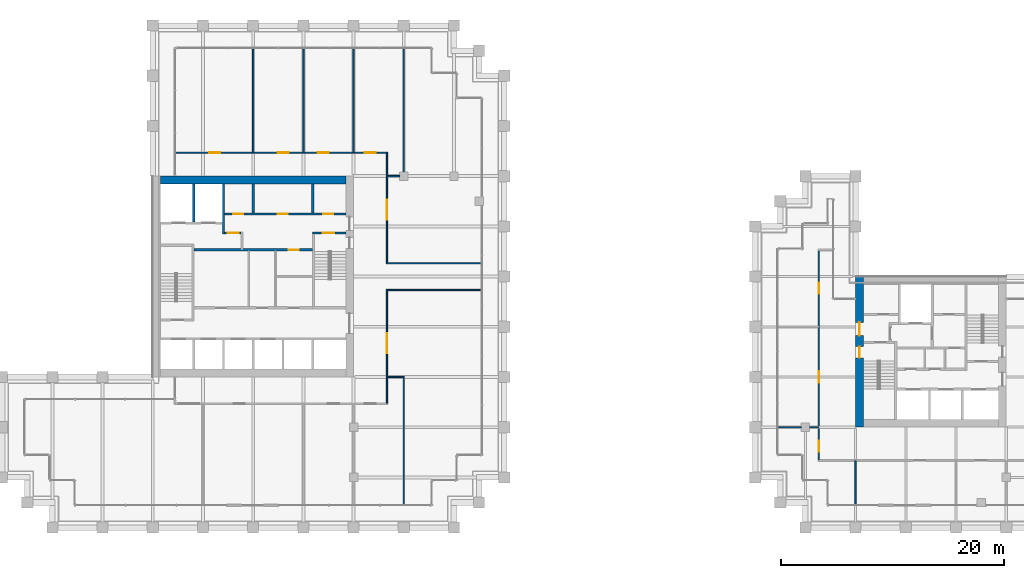
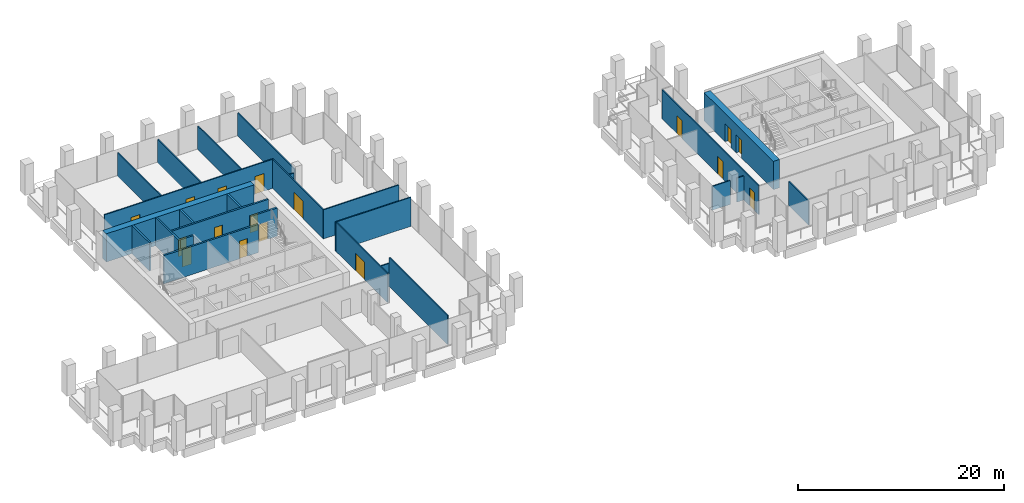
# One storey, part 42 of 46: 26 walls, 17 doors, 17 openings.
"""IFC4 building model written with IfcOpenShell, lengths in metres."""

from ifc_helpers import new_model, si_unit, direction, frame, frame_2d, origin, place, context, subcontext, project, spatial, rectangle, extrude, material, layer, layer_set, type_object, element, fill, save


model = new_model("IFC4")

# Units and contexts
model_context = context("Model", 3, precision=1e-05, world=origin(), true_north=direction((0.0, 1.0)))
body_context = subcontext(model_context, "Body", "Model", "MODEL_VIEW")
ifc_project = project(units=[si_unit("LENGTHUNIT", "METRE"), si_unit("AREAUNIT", "SQUARE_METRE"), si_unit("VOLUMEUNIT", "CUBIC_METRE"), si_unit("PLANEANGLEUNIT", "RADIAN"), si_unit("MASSUNIT", "GRAM", prefix="KILO")], contexts=[model_context])

# Site, building, storey
site_placement = place(None, origin())
site = spatial("IfcSite", under=ifc_project, at=site_placement, CompositionType="ELEMENT")
building_placement = place(site_placement, origin())
building = spatial("IfcBuilding", under=site, at=building_placement, Name="Altepetl Exchange Towers", CompositionType="ELEMENT")
storey_placement = place(building_placement, frame((0.0, 0.0, 128.0)))
storey = spatial("IfcBuildingStorey", under=building, at=storey_placement, Name="L31", CompositionType="ELEMENT", Elevation=128.0)

# Wall
ifc_material_1 = material(Name="Concrete C70/85", Category="concrete")
ifc_layer_1 = layer(ifc_material_1, 0.699951171875)
ifc_layer_set_1 = layer_set([ifc_layer_1], Name="Concrete C70/85")
wall_type_1 = type_object("IfcWallType", Name="Core wall 700 reinforced concrete", PredefinedType="SHEAR", material=ifc_layer_set_1)
wall_1_placement = place(storey_placement, frame((41.199951171875, 58.14990234375, 0.0)))
element("IfcWall", 1, at=wall_1_placement, inside=storey, type_object=wall_type_1, Name="wall:A:L31:K-coreN", PredefinedType="SHEAR", context=body_context, shape_type="SweptSolid", body=[
    extrude(rectangle(XDim=16.60009765625, YDim=0.699951171875, at=frame_2d((8.300048828125, 0.0))), origin(), (0.0, 0.0, 1.0), 3.35009765625),
])

# Wall, openings, doors
wall_2_placement = place(storey_placement, frame((103.85009765625, 36.0, 0.0), z_axis=(0.0, 0.0, 1.0), x_axis=(0.0, 1.0, 0.0)))
wall_2 = element("IfcWall", 2, at=wall_2_placement, inside=storey, type_object=wall_type_1, Name="wall:B:L31:K-coreW", PredefinedType="SHEAR", context=body_context, shape_type="SweptSolid", body=[
    extrude(rectangle(XDim=13.5, YDim=0.699951171875, at=frame_2d((6.75, 0.0))), origin(), (0.0, 0.0, 1.0), 3.35009765625),
])
opening_1_placement = place(wall_2_placement, frame((8.199951171875, 0.0, 0.0)))
opening_1 = element("IfcOpeningElement", 3, at=opening_1_placement, cuts=wall_2, Name="Opening L31.B60", PredefinedType="OPENING", context=body_context, shape_type="SweptSolid", body=[
    extrude(rectangle(XDim=1.199951171875, YDim=2.10009765625, at=frame_2d((0.60009765625, 1.050048828125))), frame((0.0, 0.35986328125, 0.0), z_axis=(0.0, -1.0, 0.0), x_axis=(1.0, 0.0, 0.0)), (0.0, 0.0, 1.0), 0.719970703125),
])
opening_2_placement = place(wall_2_placement, frame((6.22509765625, 0.0, 0.0)))
opening_2 = element("IfcOpeningElement", 4, at=opening_2_placement, cuts=wall_2, Name="Opening L31.B63", PredefinedType="OPENING", context=body_context, shape_type="SweptSolid", body=[
    extrude(rectangle(XDim=1.0, YDim=2.10009765625, at=frame_2d((0.5, 1.050048828125))), frame((0.0, 0.35986328125, 0.0), z_axis=(0.0, -1.0, 0.0), x_axis=(1.0, 0.0, 0.0)), (0.0, 0.0, 1.0), 0.719970703125),
])
ifc_material_2 = material(Name="Steel and timber fire door", Category="steel")
door_type_1 = type_object("IfcDoorType", Name="Fire door 1000 x 2100 stair and lobby", OperationType="SINGLE_SWING_LEFT", PredefinedType="DOOR", material=ifc_material_2)
door_1_placement = place(opening_2_placement, frame((1.0, 0.0, 0.0), x_axis=(-1.0, 0.0, 0.0)))
door_1 = element("IfcDoor", 5, at=door_1_placement, inside=storey, type_object=door_type_1, Name="door:B:L31:K-dS1x", OperationType="SINGLE_SWING_RIGHT", OverallHeight=2.10009765625, OverallWidth=1.0, PredefinedType="DOOR", context=body_context, shape_type="SweptSolid", body=[
    extrude(rectangle(XDim=1.0, YDim=2.10009765625, at=frame_2d((0.5, 1.050048828125))), frame((0.0, 0.02490234375, 0.0), z_axis=(0.0, -1.0, 0.0), x_axis=(1.0, 0.0, 0.0)), (0.0, 0.0, 1.0), 0.050048828125),
])
fill(opening_2, door_1)
door_type_2 = type_object("IfcDoorType", Name="Fire door 1200 x 2100 lobby entry", OperationType="SINGLE_SWING_LEFT", PredefinedType="DOOR", material=ifc_material_2)
door_2_placement = place(opening_1_placement, frame((1.199951171875, 0.0, 0.0), x_axis=(-1.0, 0.0, 0.0)))
door_2 = element("IfcDoor", 6, at=door_2_placement, inside=storey, type_object=door_type_2, Name="door:B:L31:K-dLNW", OperationType="SINGLE_SWING_RIGHT", OverallHeight=2.10009765625, OverallWidth=1.199951171875, PredefinedType="DOOR", context=body_context, shape_type="SweptSolid", body=[
    extrude(rectangle(XDim=1.199951171875, YDim=2.10009765625, at=frame_2d((0.60009765625, 1.050048828125))), frame((0.0, 0.02490234375, 0.0), z_axis=(0.0, -1.0, 0.0), x_axis=(1.0, 0.0, 0.0)), (0.0, 0.0, 1.0), 0.050048828125),
])
fill(opening_1, door_2)

# Wall, opening, door
ifc_material_3 = material(Name="Concrete blockwork", Category="masonry")
ifc_layer_2 = layer(ifc_material_3, 0.199951171875)
ifc_layer_set_2 = layer_set([ifc_layer_2], Name="Concrete blockwork")
wall_type_2 = type_object("IfcWallType", Name="Lobby wall 200 blockwork", PredefinedType="PARTITIONING", material=ifc_layer_set_2)
wall_3_placement = place(storey_placement, frame((46.933349609375, 53.39990234375, 0.0)))
wall_3 = element("IfcWall", 7, at=wall_3_placement, inside=storey, type_object=wall_type_2, Name="wall:A:L31:K-ffN", PredefinedType="PARTITIONING", context=body_context, shape_type="SweptSolid", body=[
    extrude(rectangle(XDim=1.466552734375, YDim=0.199951171875, at=frame_2d((0.7333984375, 0.0))), origin(), (0.0, 0.0, 1.0), 3.35009765625),
])
opening_3_placement = place(wall_3_placement, frame((0.2666015625, 0.0, 0.0)))
opening_3 = element("IfcOpeningElement", 8, at=opening_3_placement, cuts=wall_3, Name="Opening L31.A65", PredefinedType="OPENING", context=body_context, shape_type="SweptSolid", body=[
    extrude(rectangle(XDim=1.0, YDim=2.10009765625, at=frame_2d((0.5, 1.050048828125))), frame((0.0, 0.10986328125, 0.0), z_axis=(0.0, -1.0, 0.0), x_axis=(1.0, 0.0, 0.0)), (0.0, 0.0, 1.0), 0.219970703125),
])
door_3_placement = place(opening_3_placement, frame((1.0, 0.0, 0.0), x_axis=(-1.0, 0.0, 0.0)))
door_3 = element("IfcDoor", 9, at=door_3_placement, inside=storey, type_object=door_type_1, Name="door:A:L31:K-dffN", OperationType="SINGLE_SWING_RIGHT", OverallHeight=2.10009765625, OverallWidth=1.0, PredefinedType="DOOR", context=body_context, shape_type="SweptSolid", body=[
    extrude(rectangle(XDim=1.0, YDim=2.10009765625, at=frame_2d((0.5, 1.050048828125))), frame((0.0, 0.02490234375, 0.0), z_axis=(0.0, -1.0, 0.0), x_axis=(1.0, 0.0, 0.0)), (0.0, 0.0, 1.0), 0.050048828125),
])
fill(opening_3, door_3)

wall_4_placement = place(storey_placement, frame((44.199951171875, 51.89990234375, 0.0)))
wall_4 = element("IfcWall", 10, at=wall_4_placement, inside=storey, type_object=wall_type_2, Name="wall:A:L31:K-zoneN", PredefinedType="PARTITIONING", context=body_context, shape_type="SweptSolid", body=[
    extrude(rectangle(XDim=10.60009765625, YDim=0.199951171875, at=frame_2d((5.300048828125, 0.0))), origin(), (0.0, 0.0, 1.0), 3.35009765625),
])
opening_4_placement = place(wall_4_placement, frame((8.5, 0.0, 0.0)))
opening_4 = element("IfcOpeningElement", 11, at=opening_4_placement, cuts=wall_4, Name="Opening L31.A71", PredefinedType="OPENING", context=body_context, shape_type="SweptSolid", body=[
    extrude(rectangle(XDim=0.89990234375, YDim=2.10009765625, at=frame_2d((0.449951171875, 1.050048828125))), frame((0.0, 0.10986328125, 0.0), z_axis=(0.0, -1.0, 0.0), x_axis=(1.0, 0.0, 0.0)), (0.0, 0.0, 1.0), 0.219970703125),
])
door_type_3 = type_object("IfcDoorType", Name="Fire door 900 x 2100 service room", OperationType="SINGLE_SWING_LEFT", PredefinedType="DOOR", material=ifc_material_2)
door_4_placement = place(opening_4_placement, frame((0.89990234375, 0.0, 0.0), x_axis=(-1.0, 0.0, 0.0)))
door_4 = element("IfcDoor", 12, at=door_4_placement, inside=storey, type_object=door_type_3, Name="door:A:L31:K-dz3", OperationType="SINGLE_SWING_LEFT", OverallHeight=2.10009765625, OverallWidth=0.89990234375, PredefinedType="DOOR", context=body_context, shape_type="SweptSolid", body=[
    extrude(rectangle(XDim=0.89990234375, YDim=2.10009765625, at=frame_2d((0.449951171875, 1.050048828125))), frame((0.0, 0.02490234375, 0.0), z_axis=(0.0, -1.0, 0.0), x_axis=(1.0, 0.0, 0.0)), (0.0, 0.0, 1.0), 0.050048828125),
])
fill(opening_4, door_4)

# Walls
ifc_material_4 = material(Name="Gypsum board on steel studs", Category="steel")
ifc_layer_3 = layer(ifc_material_4, 0.125)
ifc_layer_set_3 = layer_set([ifc_layer_3], Name="Gypsum board on steel studs")
wall_type_3 = type_object("IfcWallType", Name="Partition 125 gypsum board on steel studs", PredefinedType="PARTITIONING", material=ifc_layer_set_3)
wall_5_placement = place(storey_placement, frame((61.5, 40.5, 0.0)))
element("IfcWall", 13, at=wall_5_placement, inside=storey, type_object=wall_type_3, Name="wall:A:L31:P02", PredefinedType="PARTITIONING", context=body_context, shape_type="SweptSolid", body=[
    extrude(rectangle(XDim=1.5625, YDim=0.125, at=frame_2d((0.78125, 0.0))), origin(), (0.0, 0.0, 1.0), 2.76611328125),
])
for number, where, name in (
    (14, (61.4375, 48.300048828125, 0.0), "wall:A:L31:P03"),
    (15, (61.4375, 50.699951171875, 0.0), "wall:A:L31:P04"),
):
    element("IfcWall", number, at=place(storey_placement, frame(where)), inside=storey, type_object=wall_type_3, Name=name, PredefinedType="PARTITIONING", context=body_context, shape_type="SweptSolid", body=[
        extrude(rectangle(XDim=8.46240234375, YDim=0.125, at=frame_2d((4.231201171875, 0.0))), origin(), (0.0, 0.0, 1.0), 3.449951171875),
    ])
wall_6_placement = place(storey_placement, frame((61.5, 58.5, 0.0)))
element("IfcWall", 16, at=wall_6_placement, inside=storey, type_object=wall_type_3, Name="wall:A:L31:P05", PredefinedType="PARTITIONING", context=body_context, shape_type="SweptSolid", body=[
    extrude(rectangle(XDim=1.125, YDim=0.125, at=frame_2d((0.5625, 0.0))), origin(), (0.0, 0.0, 1.0), 2.676025390625),
])

# Wall, openings, doors
wall_7_placement = place(storey_placement, frame((42.60009765625, 60.60009765625, 0.0)))
wall_7 = element("IfcWall", 17, at=wall_7_placement, inside=storey, type_object=wall_type_3, Name="wall:A:L31:P06", PredefinedType="PARTITIONING", context=body_context, shape_type="SweptSolid", body=[
    extrude(rectangle(XDim=18.96240234375, YDim=0.125, at=frame_2d((9.481201171875, 0.0))), origin(), (0.0, 0.0, 1.0), 3.449951171875),
])
opening_5_placement = place(wall_7_placement, frame((16.89990234375, 0.0, 0.0)))
opening_5 = element("IfcOpeningElement", 18, at=opening_5_placement, cuts=wall_7, Name="Opening L31.A07", PredefinedType="OPENING", context=body_context, shape_type="SweptSolid", body=[
    extrude(rectangle(XDim=1.0, YDim=2.10009765625, at=frame_2d((0.5, 1.050048828125))), frame((0.0, 0.072509765625, 0.0), z_axis=(0.0, -1.0, 0.0), x_axis=(1.0, 0.0, 0.0)), (0.0, 0.0, 1.0), 0.14501953125),
])
opening_6_placement = place(wall_7_placement, frame((12.695068359375, 0.0, 0.0)))
opening_6 = element("IfcOpeningElement", 19, at=opening_6_placement, cuts=wall_7, Name="Opening L31.A08", PredefinedType="OPENING", context=body_context, shape_type="SweptSolid", body=[
    extrude(rectangle(XDim=1.0, YDim=2.10009765625, at=frame_2d((0.5, 1.050048828125))), frame((0.0, 0.072509765625, 0.0), z_axis=(0.0, -1.0, 0.0), x_axis=(1.0, 0.0, 0.0)), (0.0, 0.0, 1.0), 0.14501953125),
])
opening_7_placement = place(wall_7_placement, frame((9.10498046875, 0.0, 0.0)))
opening_7 = element("IfcOpeningElement", 20, at=opening_7_placement, cuts=wall_7, Name="Opening L31.A09", PredefinedType="OPENING", context=body_context, shape_type="SweptSolid", body=[
    extrude(rectangle(XDim=1.0, YDim=2.10009765625, at=frame_2d((0.5, 1.050048828125))), frame((0.0, 0.072509765625, 0.0), z_axis=(0.0, -1.0, 0.0), x_axis=(1.0, 0.0, 0.0)), (0.0, 0.0, 1.0), 0.14501953125),
])
opening_8_placement = place(wall_7_placement, frame((2.949951171875, 0.0, 0.0)))
opening_8 = element("IfcOpeningElement", 21, at=opening_8_placement, cuts=wall_7, Name="Opening L31.A10", PredefinedType="OPENING", context=body_context, shape_type="SweptSolid", body=[
    extrude(rectangle(XDim=1.0, YDim=2.10009765625, at=frame_2d((0.5, 1.050048828125))), frame((0.0, 0.072509765625, 0.0), z_axis=(0.0, -1.0, 0.0), x_axis=(1.0, 0.0, 0.0)), (0.0, 0.0, 1.0), 0.14501953125),
])
door_type_4 = type_object("IfcDoorType", Name="Fire door 1000 x 2100 single leaf", OperationType="SINGLE_SWING_LEFT", PredefinedType="DOOR", material=ifc_material_2)
door_5_placement = place(opening_5_placement, origin())
door_5 = element("IfcDoor", 22, at=door_5_placement, inside=storey, type_object=door_type_4, Name="door:A:L31:07", OperationType="SINGLE_SWING_RIGHT", OverallHeight=2.10009765625, OverallWidth=1.0, PredefinedType="DOOR", context=body_context, shape_type="SweptSolid", body=[
    extrude(rectangle(XDim=1.0, YDim=2.10009765625, at=frame_2d((0.5, 1.050048828125))), frame((0.0, 0.02490234375, 0.0), z_axis=(0.0, -1.0, 0.0), x_axis=(1.0, 0.0, 0.0)), (0.0, 0.0, 1.0), 0.050048828125),
])
fill(opening_5, door_5)
door_6_placement = place(opening_6_placement, origin())
door_6 = element("IfcDoor", 23, at=door_6_placement, inside=storey, type_object=door_type_4, Name="door:A:L31:08", OperationType="SINGLE_SWING_LEFT", OverallHeight=2.10009765625, OverallWidth=1.0, PredefinedType="DOOR", context=body_context, shape_type="SweptSolid", body=[
    extrude(rectangle(XDim=1.0, YDim=2.10009765625, at=frame_2d((0.5, 1.050048828125))), frame((0.0, 0.02490234375, 0.0), z_axis=(0.0, -1.0, 0.0), x_axis=(1.0, 0.0, 0.0)), (0.0, 0.0, 1.0), 0.050048828125),
])
fill(opening_6, door_6)
door_7_placement = place(opening_7_placement, origin())
door_7 = element("IfcDoor", 24, at=door_7_placement, inside=storey, type_object=door_type_4, Name="door:A:L31:09", OperationType="SINGLE_SWING_RIGHT", OverallHeight=2.10009765625, OverallWidth=1.0, PredefinedType="DOOR", context=body_context, shape_type="SweptSolid", body=[
    extrude(rectangle(XDim=1.0, YDim=2.10009765625, at=frame_2d((0.5, 1.050048828125))), frame((0.0, 0.02490234375, 0.0), z_axis=(0.0, -1.0, 0.0), x_axis=(1.0, 0.0, 0.0)), (0.0, 0.0, 1.0), 0.050048828125),
])
fill(opening_7, door_7)
door_8_placement = place(opening_8_placement, origin())
door_8 = element("IfcDoor", 25, at=door_8_placement, inside=storey, type_object=door_type_4, Name="door:A:L31:10", OperationType="SINGLE_SWING_RIGHT", OverallHeight=2.10009765625, OverallWidth=1.0, PredefinedType="DOOR", context=body_context, shape_type="SweptSolid", body=[
    extrude(rectangle(XDim=1.0, YDim=2.10009765625, at=frame_2d((0.5, 1.050048828125))), frame((0.0, 0.02490234375, 0.0), z_axis=(0.0, -1.0, 0.0), x_axis=(1.0, 0.0, 0.0)), (0.0, 0.0, 1.0), 0.050048828125),
])
fill(opening_8, door_8)

# Walls
for number, where, z_axis, x_axis, name in (
    (26, (49.5, 60.60009765625, 0.0), (0.0, 0.0, 1.0), (0.0, 1.0, 0.0), "wall:A:L31:P09"),
    (27, (54.0, 60.60009765625, 0.0), (0.0, 0.0, 1.0), (0.0, 1.0, 0.0), "wall:A:L31:P11"),
    (28, (58.5, 60.60009765625, 0.0), (0.0, 0.0, 1.0), (0.0, 1.0, 0.0), "wall:A:L31:P15"),
):
    element("IfcWall", number, at=place(storey_placement, frame(where, z_axis=z_axis, x_axis=x_axis)), inside=storey, type_object=wall_type_3, Name=name, PredefinedType="PARTITIONING", context=body_context, shape_type="SweptSolid", body=[
        extrude(rectangle(XDim=9.2998046875, YDim=0.125, at=frame_2d((4.64990234375, 0.0))), origin(), (0.0, 0.0, 1.0), 2.76611328125),
    ])

# Wall, opening, door
wall_8_placement = place(storey_placement, frame((61.5, 38.16259765625, 0.0), z_axis=(0.0, 0.0, 1.0), x_axis=(0.0, 1.0, 0.0)))
wall_8 = element("IfcWall", 29, at=wall_8_placement, inside=storey, type_object=wall_type_3, Name="wall:A:L31:P16", PredefinedType="PARTITIONING", context=body_context, shape_type="SweptSolid", body=[
    extrude(rectangle(XDim=10.074951171875, YDim=0.125, at=frame_2d((5.03759765625, 0.0))), origin(), (0.0, 0.0, 1.0), 3.449951171875),
])
opening_9_placement = place(wall_8_placement, frame((4.445556640625, 0.0, 0.0)))
opening_9 = element("IfcOpeningElement", 30, at=opening_9_placement, cuts=wall_8, Name="Opening L31.A05", PredefinedType="OPENING", context=body_context, shape_type="SweptSolid", body=[
    extrude(rectangle(XDim=1.800048828125, YDim=2.10009765625, at=frame_2d((0.89990234375, 1.050048828125))), frame((0.0, 0.072509765625, 0.0), z_axis=(0.0, -1.0, 0.0), x_axis=(1.0, 0.0, 0.0)), (0.0, 0.0, 1.0), 0.14501953125),
])
door_type_5 = type_object("IfcDoorType", Name="Fire door 1800 x 2100 double leaf", OperationType="DOUBLE_DOOR_SINGLE_SWING", PredefinedType="DOOR", material=ifc_material_2)
door_9_placement = place(opening_9_placement, frame((1.800048828125, 0.0, 0.0), x_axis=(-1.0, 0.0, 0.0)))
door_9 = element("IfcDoor", 31, at=door_9_placement, inside=storey, type_object=door_type_5, Name="door:A:L31:05", OperationType="DOUBLE_DOOR_SINGLE_SWING", OverallHeight=2.10009765625, OverallWidth=1.800048828125, PredefinedType="DOOR", context=body_context, shape_type="SweptSolid", body=[
    extrude(rectangle(XDim=1.800048828125, YDim=2.10009765625, at=frame_2d((0.89990234375, 1.050048828125))), frame((0.0, 0.02490234375, 0.0), z_axis=(0.0, -1.0, 0.0), x_axis=(1.0, 0.0, 0.0)), (0.0, 0.0, 1.0), 0.050048828125),
])
fill(opening_9, door_9)

wall_9_placement = place(storey_placement, frame((61.5, 50.762451171875, 0.0), z_axis=(0.0, 0.0, 1.0), x_axis=(0.0, 1.0, 0.0)))
wall_9 = element("IfcWall", 32, at=wall_9_placement, inside=storey, type_object=wall_type_3, Name="wall:A:L31:P17", PredefinedType="PARTITIONING", context=body_context, shape_type="SweptSolid", body=[
    extrude(rectangle(XDim=9.775146484375, YDim=0.125, at=frame_2d((4.8876953125, 0.0))), origin(), (0.0, 0.0, 1.0), 3.449951171875),
])
opening_10_placement = place(wall_9_placement, frame((3.82958984375, 0.0, 0.0)))
opening_10 = element("IfcOpeningElement", 33, at=opening_10_placement, cuts=wall_9, Name="Opening L31.A06", PredefinedType="OPENING", context=body_context, shape_type="SweptSolid", body=[
    extrude(rectangle(XDim=1.800048828125, YDim=2.10009765625, at=frame_2d((0.89990234375, 1.050048828125))), frame((0.0, 0.072509765625, 0.0), z_axis=(0.0, -1.0, 0.0), x_axis=(1.0, 0.0, 0.0)), (0.0, 0.0, 1.0), 0.14501953125),
])
door_10_placement = place(opening_10_placement, frame((1.800048828125, 0.0, 0.0), x_axis=(-1.0, 0.0, 0.0)))
door_10 = element("IfcDoor", 34, at=door_10_placement, inside=storey, type_object=door_type_5, Name="door:A:L31:06", OperationType="DOUBLE_DOOR_SINGLE_SWING", OverallHeight=2.10009765625, OverallWidth=1.800048828125, PredefinedType="DOOR", context=body_context, shape_type="SweptSolid", body=[
    extrude(rectangle(XDim=1.800048828125, YDim=2.10009765625, at=frame_2d((0.89990234375, 1.050048828125))), frame((0.0, 0.02490234375, 0.0), z_axis=(0.0, -1.0, 0.0), x_axis=(1.0, 0.0, 0.0)), (0.0, 0.0, 1.0), 0.050048828125),
])
fill(opening_10, door_10)

# Walls
wall_10_placement = place(storey_placement, frame((63.0, 29.10009765625, 0.0), z_axis=(0.0, 0.0, 1.0), x_axis=(0.0, 1.0, 0.0)))
element("IfcWall", 35, at=wall_10_placement, inside=storey, type_object=wall_type_3, Name="wall:A:L31:P18", PredefinedType="PARTITIONING", context=body_context, shape_type="SweptSolid", body=[
    extrude(rectangle(XDim=11.33740234375, YDim=0.125, at=frame_2d((5.668701171875, 0.0))), origin(), (0.0, 0.0, 1.0), 3.449951171875),
])
wall_11_placement = place(storey_placement, frame((63.0, 58.875, 0.0), z_axis=(0.0, 0.0, 1.0), x_axis=(0.0, 1.0, 0.0)))
element("IfcWall", 36, at=wall_11_placement, inside=storey, type_object=wall_type_3, Name="wall:A:L31:P19", PredefinedType="PARTITIONING", context=body_context, shape_type="SweptSolid", body=[
    extrude(rectangle(XDim=11.02490234375, YDim=0.125, at=frame_2d((5.512451171875, 0.0))), origin(), (0.0, 0.0, 1.0), 2.76611328125),
])
wall_12_placement = place(storey_placement, frame((96.60009765625, 36.0, 0.0)))
element("IfcWall", 37, at=wall_12_placement, inside=storey, type_object=wall_type_3, Name="wall:B:L31:P02", PredefinedType="PARTITIONING", context=body_context, shape_type="SweptSolid", body=[
    extrude(rectangle(XDim=2.02490234375, YDim=0.125, at=frame_2d((1.012451171875, 0.0))), origin(), (0.0, 0.0, 1.0), 2.842041015625),
])
wall_13_placement = place(storey_placement, frame((99.375, 36.0, 0.0)))
element("IfcWall", 38, at=wall_13_placement, inside=storey, type_object=wall_type_3, Name="wall:B:L31:P03", PredefinedType="PARTITIONING", context=body_context, shape_type="SweptSolid", body=[
    extrude(rectangle(XDim=0.824951171875, YDim=0.125, at=frame_2d((0.41259765625, 0.0))), origin(), (0.0, 0.0, 1.0), 2.842041015625),
])

# Wall, openings, doors
wall_14_placement = place(storey_placement, frame((100.199951171875, 33.0625, 0.0), z_axis=(0.0, 0.0, 1.0), x_axis=(0.0, 1.0, 0.0)))
wall_14 = element("IfcWall", 39, at=wall_14_placement, inside=storey, type_object=wall_type_3, Name="wall:B:L31:P07", PredefinedType="PARTITIONING", context=body_context, shape_type="SweptSolid", body=[
    extrude(rectangle(XDim=18.77490234375, YDim=0.125, at=frame_2d((9.387451171875, 0.0))), origin(), (0.0, 0.0, 1.0), 3.449951171875),
])
opening_11_placement = place(wall_14_placement, frame((6.9375, 0.0, 0.0)))
opening_11 = element("IfcOpeningElement", 40, at=opening_11_placement, cuts=wall_14, Name="Opening L31.B01", PredefinedType="OPENING", context=body_context, shape_type="SweptSolid", body=[
    extrude(rectangle(XDim=1.0, YDim=2.10009765625, at=frame_2d((0.5, 1.050048828125))), frame((0.0, 0.072509765625, 0.0), z_axis=(0.0, -1.0, 0.0), x_axis=(1.0, 0.0, 0.0)), (0.0, 0.0, 1.0), 0.14501953125),
])
opening_12_placement = place(wall_14_placement, frame((0.744384765625, 0.0, 0.0)))
opening_12 = element("IfcOpeningElement", 41, at=opening_12_placement, cuts=wall_14, Name="Opening L31.B02", PredefinedType="OPENING", context=body_context, shape_type="SweptSolid", body=[
    extrude(rectangle(XDim=1.0, YDim=2.10009765625, at=frame_2d((0.5, 1.050048828125))), frame((0.0, 0.072509765625, 0.0), z_axis=(0.0, -1.0, 0.0), x_axis=(1.0, 0.0, 0.0)), (0.0, 0.0, 1.0), 0.14501953125),
])
opening_13_placement = place(wall_14_placement, frame((14.887451171875, 0.0, 0.0)))
opening_13 = element("IfcOpeningElement", 42, at=opening_13_placement, cuts=wall_14, Name="Opening L31.B07", PredefinedType="OPENING", context=body_context, shape_type="SweptSolid", body=[
    extrude(rectangle(XDim=1.0, YDim=2.10009765625, at=frame_2d((0.5, 1.050048828125))), frame((0.0, 0.072509765625, 0.0), z_axis=(0.0, -1.0, 0.0), x_axis=(1.0, 0.0, 0.0)), (0.0, 0.0, 1.0), 0.14501953125),
])
door_11_placement = place(opening_11_placement, origin())
door_11 = element("IfcDoor", 43, at=door_11_placement, inside=storey, type_object=door_type_4, Name="door:B:L31:01", OperationType="SINGLE_SWING_RIGHT", OverallHeight=2.10009765625, OverallWidth=1.0, PredefinedType="DOOR", context=body_context, shape_type="SweptSolid", body=[
    extrude(rectangle(XDim=1.0, YDim=2.10009765625, at=frame_2d((0.5, 1.050048828125))), frame((0.0, 0.02490234375, 0.0), z_axis=(0.0, -1.0, 0.0), x_axis=(1.0, 0.0, 0.0)), (0.0, 0.0, 1.0), 0.050048828125),
])
fill(opening_11, door_11)
door_12_placement = place(opening_12_placement, frame((1.0, 0.0, 0.0), x_axis=(-1.0, 0.0, 0.0)))
door_12 = element("IfcDoor", 44, at=door_12_placement, inside=storey, type_object=door_type_4, Name="door:B:L31:02", OperationType="SINGLE_SWING_RIGHT", OverallHeight=2.10009765625, OverallWidth=1.0, PredefinedType="DOOR", context=body_context, shape_type="SweptSolid", body=[
    extrude(rectangle(XDim=1.0, YDim=2.10009765625, at=frame_2d((0.5, 1.050048828125))), frame((0.0, 0.02490234375, 0.0), z_axis=(0.0, -1.0, 0.0), x_axis=(1.0, 0.0, 0.0)), (0.0, 0.0, 1.0), 0.050048828125),
])
fill(opening_12, door_12)
door_13_placement = place(opening_13_placement, origin())
door_13 = element("IfcDoor", 45, at=door_13_placement, inside=storey, type_object=door_type_4, Name="door:B:L31:07", OperationType="SINGLE_SWING_LEFT", OverallHeight=2.10009765625, OverallWidth=1.0, PredefinedType="DOOR", context=body_context, shape_type="SweptSolid", body=[
    extrude(rectangle(XDim=1.0, YDim=2.10009765625, at=frame_2d((0.5, 1.050048828125))), frame((0.0, 0.02490234375, 0.0), z_axis=(0.0, -1.0, 0.0), x_axis=(1.0, 0.0, 0.0)), (0.0, 0.0, 1.0), 0.050048828125),
])
fill(opening_13, door_13)

# Walls
wall_15_placement = place(storey_placement, frame((103.5, 29.10009765625, 0.0), z_axis=(0.0, 0.0, 1.0), x_axis=(0.0, 1.0, 0.0)))
element("IfcWall", 46, at=wall_15_placement, inside=storey, type_object=wall_type_3, Name="wall:B:L31:P08", PredefinedType="PARTITIONING", context=body_context, shape_type="SweptSolid", body=[
    extrude(rectangle(XDim=3.89990234375, YDim=0.125, at=frame_2d((1.949951171875, 0.0))), origin(), (0.0, 0.0, 1.0), 2.85107421875),
])
ifc_material_5 = material(Name="Concrete C40/50", Category="concrete")
ifc_layer_4 = layer(ifc_material_5, 0.199951171875)
ifc_layer_set_4 = layer_set([ifc_layer_4], Name="Concrete C40/50")
wall_type_4 = type_object("IfcWallType", Name="Shaft wall 200 reinforced concrete", PredefinedType="SHEAR", material=ifc_layer_set_4)
wall_16_placement = place(storey_placement, frame((44.166748046875, 57.800048828125, 0.0), z_axis=(0.0, 0.0, 1.0), x_axis=(0.0, -1.0, 0.0)))
element("IfcWall", 47, at=wall_16_placement, inside=storey, type_object=wall_type_4, Name="wall:A:L31:K-divN1", PredefinedType="SHEAR", context=body_context, shape_type="SweptSolid", body=[
    extrude(rectangle(XDim=3.400146484375, YDim=0.199951171875, at=frame_2d((1.7001953125, 0.0))), origin(), (0.0, 0.0, 1.0), 3.35009765625),
])
wall_17_placement = place(storey_placement, frame((46.833251953125, 57.800048828125, 0.0), z_axis=(0.0, 0.0, 1.0), x_axis=(0.0, -1.0, 0.0)))
element("IfcWall", 48, at=wall_17_placement, inside=storey, type_object=wall_type_4, Name="wall:A:L31:K-divN2", PredefinedType="SHEAR", context=body_context, shape_type="SweptSolid", body=[
    extrude(rectangle(XDim=4.5, YDim=0.199951171875, at=frame_2d((2.25, 0.0))), origin(), (0.0, 0.0, 1.0), 3.35009765625),
])
for number, where, z_axis, x_axis, name in (
    (49, (49.5, 57.800048828125, 0.0), (0.0, 0.0, 1.0), (0.0, -1.0, 0.0), "wall:A:L31:K-divN3"),
    (50, (54.833251953125, 57.800048828125, 0.0), (0.0, 0.0, 1.0), (0.0, -1.0, 0.0), "wall:A:L31:K-divN5"),
):
    element("IfcWall", number, at=place(storey_placement, frame(where, z_axis=z_axis, x_axis=x_axis)), inside=storey, type_object=wall_type_4, Name=name, PredefinedType="SHEAR", context=body_context, shape_type="SweptSolid", body=[
        extrude(rectangle(XDim=2.60009765625, YDim=0.199951171875, at=frame_2d((1.300048828125, 0.0))), origin(), (0.0, 0.0, 1.0), 3.35009765625),
    ])

# Wall, openings, doors
wall_18_placement = place(storey_placement, frame((46.933349609375, 55.10009765625, 0.0)))
wall_18 = element("IfcWall", 51, at=wall_18_placement, inside=storey, type_object=wall_type_4, Name="wall:A:L31:K-frontNb", PredefinedType="SHEAR", context=body_context, shape_type="SweptSolid", body=[
    extrude(rectangle(XDim=10.86669921875, YDim=0.199951171875, at=frame_2d((5.433349609375, 0.0))), origin(), (0.0, 0.0, 1.0), 3.35009765625),
])
opening_14_placement = place(wall_18_placement, frame((8.83349609375, 0.0, 0.0)))
opening_14 = element("IfcOpeningElement", 52, at=opening_14_placement, cuts=wall_18, Name="Opening L31.A66", PredefinedType="OPENING", context=body_context, shape_type="SweptSolid", body=[
    extrude(rectangle(XDim=0.89990234375, YDim=2.10009765625, at=frame_2d((0.449951171875, 1.050048828125))), frame((0.0, 0.10986328125, 0.0), z_axis=(0.0, -1.0, 0.0), x_axis=(1.0, 0.0, 0.0)), (0.0, 0.0, 1.0), 0.219970703125),
])
opening_15_placement = place(wall_18_placement, frame((0.783447265625, 0.0, 0.0)))
opening_15 = element("IfcOpeningElement", 53, at=opening_15_placement, cuts=wall_18, Name="Opening L31.A67", PredefinedType="OPENING", context=body_context, shape_type="SweptSolid", body=[
    extrude(rectangle(XDim=0.89990234375, YDim=2.10009765625, at=frame_2d((0.449951171875, 1.050048828125))), frame((0.0, 0.10986328125, 0.0), z_axis=(0.0, -1.0, 0.0), x_axis=(1.0, 0.0, 0.0)), (0.0, 0.0, 1.0), 0.219970703125),
])
opening_16_placement = place(wall_18_placement, frame((4.783447265625, 0.0, 0.0)))
opening_16 = element("IfcOpeningElement", 54, at=opening_16_placement, cuts=wall_18, Name="Opening L31.A68", PredefinedType="OPENING", context=body_context, shape_type="SweptSolid", body=[
    extrude(rectangle(XDim=0.89990234375, YDim=2.10009765625, at=frame_2d((0.449951171875, 1.050048828125))), frame((0.0, 0.10986328125, 0.0), z_axis=(0.0, -1.0, 0.0), x_axis=(1.0, 0.0, 0.0)), (0.0, 0.0, 1.0), 0.219970703125),
])
door_14_placement = place(opening_14_placement, origin())
door_14 = element("IfcDoor", 55, at=door_14_placement, inside=storey, type_object=door_type_3, Name="door:A:L31:K-driser", OperationType="SINGLE_SWING_RIGHT", OverallHeight=2.10009765625, OverallWidth=0.89990234375, PredefinedType="DOOR", context=body_context, shape_type="SweptSolid", body=[
    extrude(rectangle(XDim=0.89990234375, YDim=2.10009765625, at=frame_2d((0.449951171875, 1.050048828125))), frame((0.0, 0.02490234375, 0.0), z_axis=(0.0, -1.0, 0.0), x_axis=(1.0, 0.0, 0.0)), (0.0, 0.0, 1.0), 0.050048828125),
])
fill(opening_14, door_14)
door_15_placement = place(opening_15_placement, origin())
door_15 = element("IfcDoor", 56, at=door_15_placement, inside=storey, type_object=door_type_3, Name="door:A:L31:K-dslotN2", OperationType="SINGLE_SWING_RIGHT", OverallHeight=2.10009765625, OverallWidth=0.89990234375, PredefinedType="DOOR", context=body_context, shape_type="SweptSolid", body=[
    extrude(rectangle(XDim=0.89990234375, YDim=2.10009765625, at=frame_2d((0.449951171875, 1.050048828125))), frame((0.0, 0.02490234375, 0.0), z_axis=(0.0, -1.0, 0.0), x_axis=(1.0, 0.0, 0.0)), (0.0, 0.0, 1.0), 0.050048828125),
])
fill(opening_15, door_15)
door_16_placement = place(opening_16_placement, origin())
door_16 = element("IfcDoor", 57, at=door_16_placement, inside=storey, type_object=door_type_3, Name="door:A:L31:K-dslotN3", OperationType="SINGLE_SWING_RIGHT", OverallHeight=2.10009765625, OverallWidth=0.89990234375, PredefinedType="DOOR", context=body_context, shape_type="SweptSolid", body=[
    extrude(rectangle(XDim=0.89990234375, YDim=2.10009765625, at=frame_2d((0.449951171875, 1.050048828125))), frame((0.0, 0.02490234375, 0.0), z_axis=(0.0, -1.0, 0.0), x_axis=(1.0, 0.0, 0.0)), (0.0, 0.0, 1.0), 0.050048828125),
])
fill(opening_16, door_16)

# Wall, opening, door
ifc_layer_5 = layer(ifc_material_5, 0.199951171875)
ifc_layer_set_5 = layer_set([ifc_layer_5], Name="Concrete C40/50")
wall_type_5 = type_object("IfcWallType", Name="Stair wall 200 reinforced concrete", PredefinedType="SHEAR", material=ifc_layer_set_5)
wall_19_placement = place(storey_placement, frame((54.800048828125, 53.39990234375, 0.0)))
wall_19 = element("IfcWall", 58, at=wall_19_placement, inside=storey, type_object=wall_type_5, Name="wall:A:L31:K-stS2N", PredefinedType="SHEAR", context=body_context, shape_type="SweptSolid", body=[
    extrude(rectangle(XDim=3.0, YDim=0.199951171875, at=frame_2d((1.5, 0.0))), origin(), (0.0, 0.0, 1.0), 3.35009765625),
])
opening_17_placement = place(wall_19_placement, frame((0.949951171875, 0.0, 0.0)))
opening_17 = element("IfcOpeningElement", 59, at=opening_17_placement, cuts=wall_19, Name="Opening L31.A63", PredefinedType="OPENING", context=body_context, shape_type="SweptSolid", body=[
    extrude(rectangle(XDim=1.0, YDim=2.10009765625, at=frame_2d((0.5, 1.050048828125))), frame((0.0, 0.10986328125, 0.0), z_axis=(0.0, -1.0, 0.0), x_axis=(1.0, 0.0, 0.0)), (0.0, 0.0, 1.0), 0.219970703125),
])
door_17_placement = place(opening_17_placement, frame((1.0, 0.0, 0.0), x_axis=(-1.0, 0.0, 0.0)))
door_17 = element("IfcDoor", 60, at=door_17_placement, inside=storey, type_object=door_type_1, Name="door:A:L31:K-dS2in", OperationType="SINGLE_SWING_LEFT", OverallHeight=2.10009765625, OverallWidth=1.0, PredefinedType="DOOR", context=body_context, shape_type="SweptSolid", body=[
    extrude(rectangle(XDim=1.0, YDim=2.10009765625, at=frame_2d((0.5, 1.050048828125))), frame((0.0, 0.02490234375, 0.0), z_axis=(0.0, -1.0, 0.0), x_axis=(1.0, 0.0, 0.0)), (0.0, 0.0, 1.0), 0.050048828125),
])
fill(opening_17, door_17)

save(model, "model.ifc")
